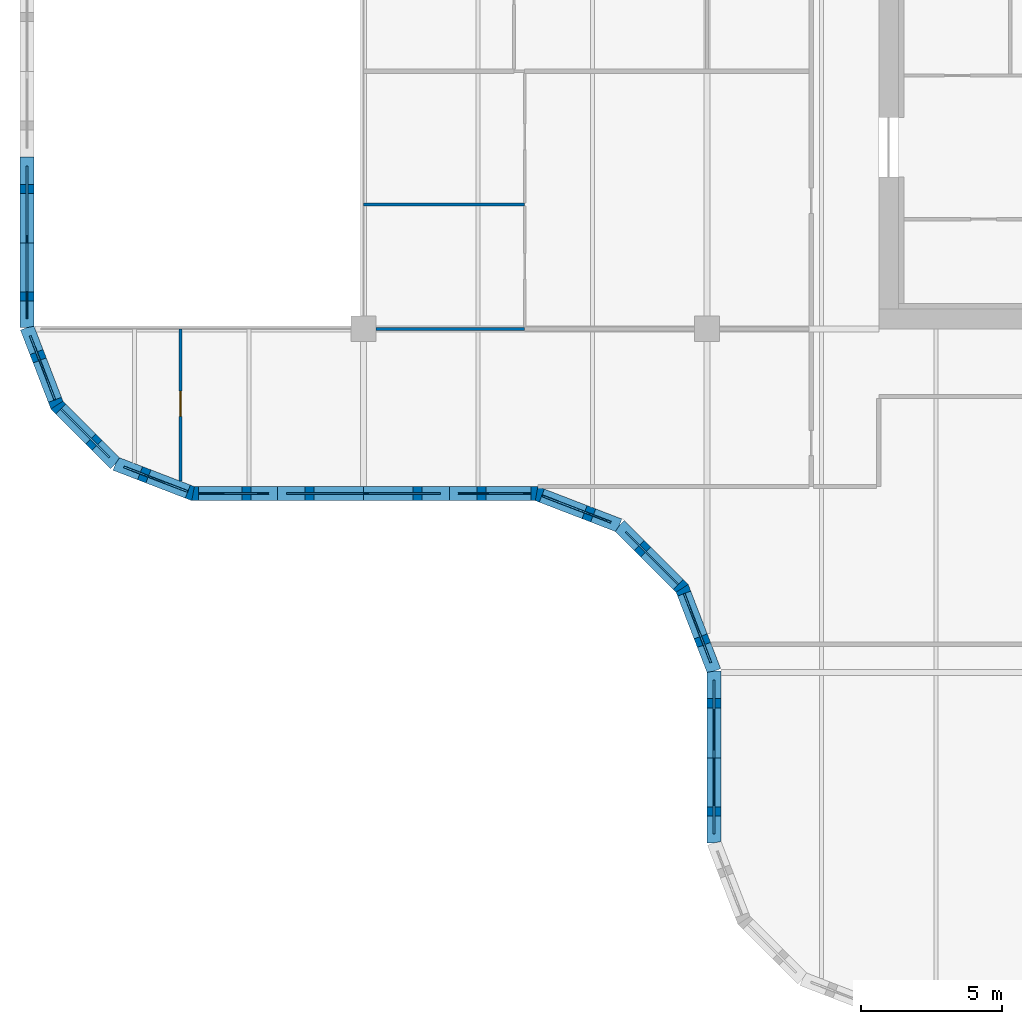
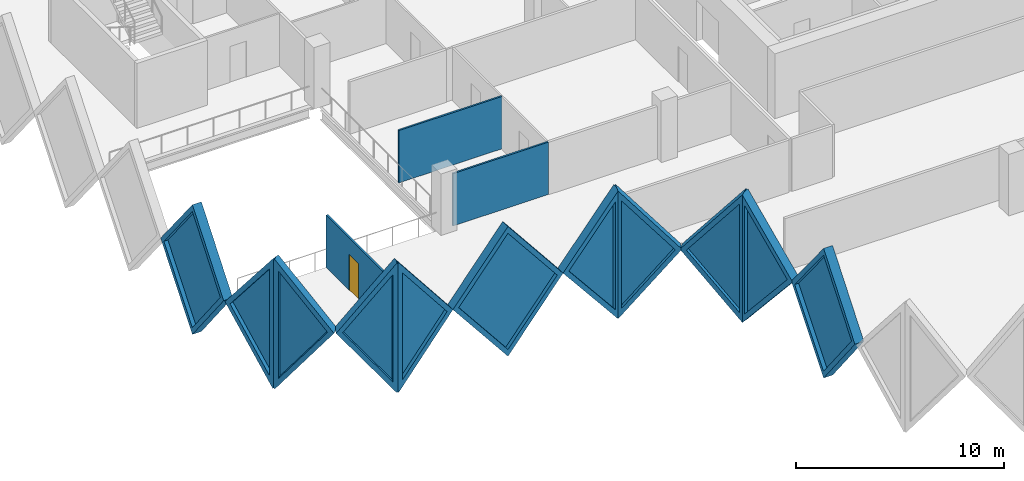
# One storey, part 3 of 12: 14 walls, 11 plates, 1 door, 12 openings.
"""IFC4 building model written with IfcOpenShell, lengths in metres."""

from ifc_helpers import new_model, si_unit, direction, frame, frame_2d, origin, place, context, subcontext, project, spatial, polyline, rectangle, outline, extrude, faceted_brep, source, transform, mapped, material, layer, layer_set, type_object, element, fill, save


model = new_model("IFC4")

# Units and contexts
model_context = context("Model", 3, precision=1e-05, world=origin(), true_north=direction((0.0, 1.0)))
body_context = subcontext(model_context, "Body", "Model", "MODEL_VIEW")
ifc_project = project(units=[si_unit("LENGTHUNIT", "METRE"), si_unit("AREAUNIT", "SQUARE_METRE"), si_unit("VOLUMEUNIT", "CUBIC_METRE"), si_unit("PLANEANGLEUNIT", "RADIAN"), si_unit("MASSUNIT", "GRAM", prefix="KILO")], contexts=[model_context])

# Site, building, storey
site_placement = place(None, origin())
site = spatial("IfcSite", under=ifc_project, at=site_placement, CompositionType="ELEMENT")
building_placement = place(site_placement, origin())
building = spatial("IfcBuilding", under=site, at=building_placement, Name="Tessera Gate Towers", CompositionType="ELEMENT")
storey_placement = place(building_placement, frame((0.0, 0.0, 127.800048828125)))
storey = spatial("IfcBuildingStorey", under=building, at=storey_placement, Name="L31", CompositionType="ELEMENT", Elevation=127.800048828125)

# Wall, opening, door
ifc_material_1 = material(Name="Glass", Category="glass")
ifc_layer_1 = layer(ifc_material_1, 0.10009765625)
ifc_layer_set_1 = layer_set([ifc_layer_1], Name="GLAZED PARTITION 100")
wall_type_1 = type_object("IfcWallType", Name="GLAZED PARTITION 100", PredefinedType="PARTITIONING", material=ifc_layer_set_1)
wall_1_placement = place(storey_placement, frame((5.699951171875, 18.990234375, 0.0), z_axis=(0.0, 0.0, 1.0), x_axis=(0.0, 1.0, 0.0)))
wall_1 = element("IfcWall", 1, at=wall_1_placement, inside=storey, type_object=wall_type_1, Name="T1-L31-PW-016", PredefinedType="PARTITIONING", context=body_context, shape_type="SweptSolid", body=[
    extrude(rectangle(XDim=5.40966796875, YDim=0.10009765625, at=frame_2d((2.704833984375, 0.0))), origin(), (0.0, 0.0, 1.0), 3.06689453125),
])
shared_shape_1 = source(origin(), body_context, "Body", "SweptSolid", [
    extrude(rectangle(XDim=0.89990234375, YDim=2.10009765625, at=frame_2d((0.449951171875, 1.050048828125))), frame((0.0, 0.06005859375, 0.0), z_axis=(0.0, -1.0, 0.0), x_axis=(1.0, 0.0, 0.0)), (0.0, 0.0, 1.0), 0.1201171875),
])
opening_1_placement = place(wall_1_placement, frame((2.300048828125, 0.0, 0.0)))
opening_1 = element("IfcOpeningElement", 2, at=opening_1_placement, cuts=wall_1, Name="Opening D690-A11-03", PredefinedType="OPENING", context=body_context, shape_type="MappedRepresentation", body=[
    mapped(shared_shape_1, transform((0.0, 0.0, 0.0), scale=1.0)),
])
ifc_material_2 = material(Name="Glass in aluminium frame", Category="aluminium")
door_type = type_object("IfcDoorType", Name="GLAZED DOOR 900 NOT RATED", OperationType="NOTDEFINED", PredefinedType="DOOR", material=ifc_material_2)
shared_shape_2 = source(origin(), body_context, "Body", "SweptSolid", [
    extrude(rectangle(XDim=0.89990234375, YDim=2.10009765625, at=frame_2d((0.449951171875, 1.050048828125))), frame((0.0, 0.02490234375, 0.0), z_axis=(0.0, -1.0, 0.0), x_axis=(1.0, 0.0, 0.0)), (0.0, 0.0, 1.0), 0.050048828125),
])
door_placement = place(opening_1_placement, origin())
door = element("IfcDoor", 3, at=door_placement, inside=storey, type_object=door_type, Name="T1-L31-PD-006", OperationType="SINGLE_SWING_LEFT", OverallHeight=2.10009765625, OverallWidth=0.89990234375, PredefinedType="DOOR", context=body_context, shape_type="MappedRepresentation", body=[
    mapped(shared_shape_2, transform((0.0, 0.0, 0.0), scale=1.0)),
])
fill(opening_1, door)

# Walls
wall_2_placement = place(storey_placement, frame((12.65087890625, 24.39990234375, 0.0), z_axis=(0.0, 0.0, 1.0), x_axis=(1.0, 0.0, 0.0)))
element("IfcWall", 4, at=wall_2_placement, inside=storey, type_object=wall_type_1, Name="T1-L31-PW-021", PredefinedType="PARTITIONING", context=body_context, shape_type="SweptSolid", body=[
    extrude(rectangle(XDim=5.273193359375, YDim=0.10009765625, at=frame_2d((2.63671875, 0.0))), origin(), (0.0, 0.0, 1.0), 3.06689453125),
])
ifc_material_3 = material(Name="Gypsum board on steel studs", Category="steel")
ifc_layer_2 = layer(ifc_material_3, 0.10009765625)
ifc_layer_set_2 = layer_set([ifc_layer_2], Name="PARTITION 100")
wall_type_2 = type_object("IfcWallType", Name="PARTITION 100", PredefinedType="PARTITIONING", material=ifc_layer_set_2)
wall_3_placement = place(storey_placement, frame((12.199951171875, 28.820068359375, 0.0), z_axis=(0.0, 0.0, 1.0), x_axis=(1.0, 0.0, 0.0)))
element("IfcWall", 5, at=wall_3_placement, inside=storey, type_object=wall_type_2, Name="T1-L31-PW-025", PredefinedType="PARTITIONING", context=body_context, shape_type="SweptSolid", body=[
    extrude(rectangle(XDim=5.72509765625, YDim=0.10009765625, at=frame_2d((2.862548828125, 0.0))), origin(), (0.0, 0.0, 1.0), 3.06689453125),
])

# Wall, opening, plate
ifc_material_4 = material(Name="Precast concrete C60/75 white", Category="concrete")
ifc_layer_3 = layer(ifc_material_4, 0.5)
ifc_layer_set_3 = layer_set([ifc_layer_3], Name="TS1 tessera")
wall_type_3 = type_object("IfcWallType", Name="TS1 tessera", PredefinedType="SOLIDWALL", material=ifc_layer_set_3)
shared_shape_3 = source(origin(), body_context, "Body", "SweptSolid", [
    extrude(outline(polyline([(3.050048828125, 0.0), (6.10009765625, 3.800048828125), (3.050048828125, 7.60009765625), (0.0, 3.800048828125), (3.050048828125, 0.0)])), frame((0.0, 0.25, 0.0), z_axis=(0.0, -1.0, 0.0), x_axis=(1.0, 0.0, 0.0)), (0.0, 0.0, 1.0), 0.5),
])
wall_4_placement = place(storey_placement, frame((9.14990234375, 18.550048828125, -3.800048828125), z_axis=(0.0, 0.0, 1.0), x_axis=(1.0, 0.0, 0.0)))
wall_4 = element("IfcWall", 6, at=wall_4_placement, inside=storey, type_object=wall_type_3, Name="Precast tessera T1 TS1-0527", PredefinedType="SOLIDWALL", context=body_context, shape_type="MappedRepresentation", body=[
    mapped(shared_shape_3, transform((0.0, 0.0, 0.0), scale=1.0)),
])
shared_shape_4 = source(origin(), body_context, "Body", "SweptSolid", [
    extrude(outline(polyline([(3.050048828125, 0.3994140625), (5.779541015625, 3.800048828125), (3.050048828125, 7.20068359375), (0.320556640625, 3.800048828125), (3.050048828125, 0.3994140625)])), frame((0.0, 0.260009765625, 0.0), z_axis=(0.0, -1.0, 0.0), x_axis=(1.0, 0.0, 0.0)), (0.0, 0.0, 1.0), 0.52001953125),
])
opening_2_placement = place(wall_4_placement, origin())
opening_2 = element("IfcOpeningElement", 7, at=opening_2_placement, cuts=wall_4, Name="Opening T1-PL2-1073", PredefinedType="OPENING", context=body_context, shape_type="MappedRepresentation", body=[
    mapped(shared_shape_4, transform((0.0, 0.0, 0.0), scale=1.0)),
])
ifc_material_5 = material(Name="Low-e laminated glass", Category="glass")
ifc_layer_4 = layer(ifc_material_5, 0.06005859375)
ifc_layer_set_4 = layer_set([ifc_layer_4], Name="PL2 rhombic pane")
plate_type = type_object("IfcPlateType", Name="PL2 rhombic pane", PredefinedType="SHEET", material=ifc_layer_set_4)
shared_shape_5 = source(origin(), body_context, "Body", "SweptSolid", [
    extrude(outline(polyline([(3.050048828125, 0.3994140625), (5.779541015625, 3.800048828125), (3.050048828125, 7.20068359375), (0.320556640625, 3.800048828125), (3.050048828125, 0.3994140625)])), frame((0.0, 0.030029296875, 0.0), z_axis=(0.0, -1.0, 0.0), x_axis=(1.0, 0.0, 0.0)), (0.0, 0.0, 1.0), 0.06005859375),
])
plate_1_placement = place(opening_2_placement, origin())
plate_1 = element("IfcPlate", 8, at=plate_1_placement, inside=storey, type_object=plate_type, Name="Glass pane T1 PL2-1073", PredefinedType="SHEET", context=body_context, shape_type="MappedRepresentation", body=[
    mapped(shared_shape_5, transform((0.0, 0.0, 0.0), scale=1.0)),
])
fill(opening_2, plate_1)

shared_shape_6 = source(origin(), body_context, "Body", "Brep", [
    faceted_brep([(3.050048828125, -0.25, 0.0), (6.053466796875, -0.25, 3.800048828125), (3.050048828125, -0.25, 7.60009765625), (0.0, -0.25, 3.800048828125), (0.0, 0.25, 3.800048828125), (3.050048828125, 0.25, 7.60009765625), (6.0068359375, 0.25, 3.85888671875), (6.0068359375, 0.25, 3.7412109375), (3.050048828125, 0.25, 0.0), (6.053466796875, 0.0, 3.800048828125)], [[[0, 1, 2, 3]], [[4, 5, 6, 7, 8]], [[8, 7, 9, 1, 0]], [[6, 5, 2, 1, 9]], [[5, 4, 3, 2]], [[4, 8, 0, 3]], [[9, 7, 6]]]),
])
wall_5_placement = place(storey_placement, frame((0.25, 30.5, -3.800048828125), z_axis=(0.0, 0.0, 1.0), x_axis=(0.0, -1.0, 0.0)))
wall_5 = element("IfcWall", 9, at=wall_5_placement, inside=storey, type_object=wall_type_3, Name="Precast tessera T1 TS1-0526", PredefinedType="SOLIDWALL", context=body_context, shape_type="MappedRepresentation", body=[
    mapped(shared_shape_6, transform((0.0, 0.0, 0.0), scale=1.0)),
])
shared_shape_7 = source(origin(), body_context, "Body", "SweptSolid", [
    extrude(outline(polyline([(3.048583984375, 0.4013671875), (5.73486328125, 3.800048828125), (3.048583984375, 7.19873046875), (0.320556640625, 3.800048828125), (3.048583984375, 0.4013671875)])), frame((0.0, 0.260009765625, 0.0), z_axis=(0.0, -1.0, 0.0), x_axis=(1.0, 0.0, 0.0)), (0.0, 0.0, 1.0), 0.52001953125),
])
opening_3_placement = place(wall_5_placement, origin())
opening_3 = element("IfcOpeningElement", 10, at=opening_3_placement, cuts=wall_5, Name="Opening T1-PL2-1068", PredefinedType="OPENING", context=body_context, shape_type="MappedRepresentation", body=[
    mapped(shared_shape_7, transform((0.0, 0.0, 0.0), scale=1.0)),
])
shared_shape_8 = source(origin(), body_context, "Body", "SweptSolid", [
    extrude(outline(polyline([(3.048583984375, 0.4013671875), (5.73486328125, 3.800048828125), (3.048583984375, 7.19873046875), (0.320556640625, 3.800048828125), (3.048583984375, 0.4013671875)])), frame((0.0, 0.030029296875, 0.0), z_axis=(0.0, -1.0, 0.0), x_axis=(1.0, 0.0, 0.0)), (0.0, 0.0, 1.0), 0.06005859375),
])
plate_2_placement = place(opening_3_placement, origin())
plate_2 = element("IfcPlate", 11, at=plate_2_placement, inside=storey, type_object=plate_type, Name="Glass pane T1 PL2-1068", PredefinedType="SHEET", context=body_context, shape_type="MappedRepresentation", body=[
    mapped(shared_shape_8, transform((0.0, 0.0, 0.0), scale=1.0)),
])
fill(opening_3, plate_2)

ifc_material_6 = material(Name="Precast concrete C60/75 white", Category="concrete")
ifc_layer_5 = layer(ifc_material_6, 0.5)
ifc_layer_set_5 = layer_set([ifc_layer_5], Name="TS3 corner tessera")
wall_type_4 = type_object("IfcWallType", Name="TS3 corner tessera", PredefinedType="SOLIDWALL", material=ifc_layer_set_5)
shared_shape_9 = source(origin(), body_context, "Body", "Brep", [
    faceted_brep([(0.052978515625, -0.25, 0.0), (2.9970703125, -0.25, 3.800048828125), (0.052978515625, -0.25, 7.60009765625), (0.0, -0.25, 7.531982421875), (0.0, -0.25, 0.068115234375), (0.10595703125, 0.25, 7.53173828125), (2.944091796875, 0.25, 3.8681640625), (2.944091796875, 0.25, 3.73193359375), (0.10595703125, 0.25, 0.068359375), (2.9970703125, 0.000244140625, 3.800048828125), (0.052978515625, 0.0, 0.0), (0.052978515625, 0.0, 7.60009765625)], [[[0, 1, 2, 3, 4]], [[5, 6, 7, 8]], [[8, 7, 9, 1, 0, 10]], [[6, 5, 11, 2, 1, 9]], [[3, 2, 11]], [[10, 0, 4]], [[8, 10, 4, 3, 11, 5]], [[9, 7, 6]]]),
])
wall_6_placement = place(storey_placement, frame((1.2744140625, 21.731201171875, -3.800048828125), z_axis=(0.0, 0.0, 1.0), x_axis=(0.707147509625, -0.707066050402, 0.0)))
wall_6 = element("IfcWall", 12, at=wall_6_placement, inside=storey, type_object=wall_type_4, Name="Precast corner tessera T1 TS3-0712", PredefinedType="SOLIDWALL", context=body_context, shape_type="MappedRepresentation", body=[
    mapped(shared_shape_9, transform((0.0, 0.0, 0.0), scale=1.0)),
])
shared_shape_10 = source(origin(), body_context, "Body", "SweptSolid", [
    extrude(outline(polyline([(0.2529296875, 0.666259765625), (2.680908203125, 3.800048828125), (0.2529296875, 6.93359375), (0.2529296875, 0.666259765625)])), frame((0.0, 0.260009765625, 0.0), z_axis=(0.0, -1.0, 0.0), x_axis=(1.0, 0.0, 0.0)), (0.0, 0.0, 1.0), 0.52001953125),
])
opening_4_placement = place(wall_6_placement, origin())
opening_4 = element("IfcOpeningElement", 13, at=opening_4_placement, cuts=wall_6, Name="Opening T1-PL2-1070", PredefinedType="OPENING", context=body_context, shape_type="MappedRepresentation", body=[
    mapped(shared_shape_10, transform((0.0, 0.0, 0.0), scale=1.0)),
])
shared_shape_11 = source(origin(), body_context, "Body", "SweptSolid", [
    extrude(outline(polyline([(0.2529296875, 0.666259765625), (2.680908203125, 3.800048828125), (0.2529296875, 6.93359375), (0.2529296875, 0.666259765625)])), frame((0.0, 0.030029296875, 0.0), z_axis=(0.0, -1.0, 0.0), x_axis=(1.0, 0.0, 0.0)), (0.0, 0.0, 1.0), 0.06005859375),
])
plate_3_placement = place(opening_4_placement, origin())
plate_3 = element("IfcPlate", 14, at=plate_3_placement, inside=storey, type_object=plate_type, Name="Glass pane T1 PL2-1070", PredefinedType="SHEET", context=body_context, shape_type="MappedRepresentation", body=[
    mapped(shared_shape_11, transform((0.0, 0.0, 0.0), scale=1.0)),
])
fill(opening_4, plate_3)

shared_shape_12 = source(origin(), body_context, "Body", "Brep", [
    faceted_brep([(2.950439453125, -0.25, 0.0), (2.9970703125, -0.25, 0.05908203125), (2.9970703125, -0.25, 7.541015625), (2.950439453125, -0.25, 7.60009765625), (0.0, -0.25, 3.800048828125), (0.052978515625, 0.25, 3.8681640625), (2.904052734375, 0.25, 7.540283203125), (2.904052734375, 0.25, 0.059814453125), (0.052978515625, 0.25, 3.73193359375), (2.950439453125, 0.00048828125, 0.0), (2.950439453125, 0.00048828125, 7.60009765625), (0.0, 0.0, 3.800048828125)], [[[0, 1, 2, 3, 4]], [[5, 6, 7, 8]], [[1, 0, 9]], [[10, 3, 2]], [[6, 5, 11, 4, 3, 10]], [[8, 7, 9, 0, 4, 11]], [[8, 11, 5]], [[1, 9, 7, 6, 10, 2]]]),
])
wall_7_placement = place(storey_placement, frame((3.393798828125, 19.61181640625, -3.800048828125), z_axis=(0.0, 0.0, 1.0), x_axis=(0.932990326376, -0.359901446078, 0.0)))
wall_7 = element("IfcWall", 15, at=wall_7_placement, inside=storey, type_object=wall_type_4, Name="Precast corner tessera T1 TS3-0713", PredefinedType="SOLIDWALL", context=body_context, shape_type="MappedRepresentation", body=[
    mapped(shared_shape_12, transform((0.0, 0.0, 0.0), scale=1.0)),
])
shared_shape_13 = source(origin(), body_context, "Body", "SweptSolid", [
    extrude(outline(polyline([(2.75048828125, 6.934814453125), (0.31640625, 3.800048828125), (2.75048828125, 0.665283203125), (2.75048828125, 6.934814453125)])), frame((0.0, 0.260009765625, 0.0), z_axis=(0.0, -1.0, 0.0), x_axis=(1.0, 0.0, 0.0)), (0.0, 0.0, 1.0), 0.52001953125),
])
opening_5_placement = place(wall_7_placement, origin())
opening_5 = element("IfcOpeningElement", 16, at=opening_5_placement, cuts=wall_7, Name="Opening T1-PL2-1071", PredefinedType="OPENING", context=body_context, shape_type="MappedRepresentation", body=[
    mapped(shared_shape_13, transform((0.0, 0.0, 0.0), scale=1.0)),
])
shared_shape_14 = source(origin(), body_context, "Body", "SweptSolid", [
    extrude(outline(polyline([(2.75048828125, 6.934814453125), (0.31640625, 3.800048828125), (2.75048828125, 0.665283203125), (2.75048828125, 6.934814453125)])), frame((0.0, 0.030029296875, 0.0), z_axis=(0.0, -1.0, 0.0), x_axis=(1.0, 0.0, 0.0)), (0.0, 0.0, 1.0), 0.06005859375),
])
plate_4_placement = place(opening_5_placement, origin())
plate_4 = element("IfcPlate", 17, at=plate_4_placement, inside=storey, type_object=plate_type, Name="Glass pane T1 PL2-1071", PredefinedType="SHEET", context=body_context, shape_type="MappedRepresentation", body=[
    mapped(shared_shape_14, transform((0.0, 0.0, 0.0), scale=1.0)),
])
fill(opening_5, plate_4)

shared_shape_15 = source(origin(), body_context, "Body", "Brep", [
    faceted_brep([(0.046630859375, -0.25, 0.0), (3.050048828125, -0.25, 3.800048828125), (0.046630859375, -0.25, 7.60009765625), (0.0, -0.25, 7.5400390625), (0.0, -0.25, 0.06005859375), (0.09326171875, 0.25, 7.541259765625), (3.050048828125, 0.25, 3.800048828125), (0.09326171875, 0.25, 0.058837890625), (0.046630859375, 0.0, 0.0), (0.046630859375, 0.0, 7.60009765625)], [[[0, 1, 2, 3, 4]], [[5, 6, 7]], [[7, 6, 1, 0, 8]], [[6, 5, 9, 2, 1]], [[3, 2, 9]], [[8, 0, 4]], [[7, 8, 4, 3, 9, 5]]]),
])
wall_8_placement = place(storey_placement, frame((6.099853515625, 18.550048828125, -3.800048828125), z_axis=(0.0, 0.0, 1.0), x_axis=(1.0, 0.0, 0.0)))
wall_8 = element("IfcWall", 18, at=wall_8_placement, inside=storey, type_object=wall_type_4, Name="Precast corner tessera T1 TS3-0714", PredefinedType="SOLIDWALL", context=body_context, shape_type="MappedRepresentation", body=[
    mapped(shared_shape_15, transform((0.0, 0.0, 0.0), scale=1.0)),
])
shared_shape_16 = source(origin(), body_context, "Body", "SweptSolid", [
    extrude(outline(polyline([(0.24658203125, 0.65625), (2.7314453125, 3.800048828125), (0.24658203125, 6.94384765625), (0.24658203125, 0.65625)])), frame((0.0, 0.260009765625, 0.0), z_axis=(0.0, -1.0, 0.0), x_axis=(1.0, 0.0, 0.0)), (0.0, 0.0, 1.0), 0.52001953125),
])
opening_6_placement = place(wall_8_placement, origin())
opening_6 = element("IfcOpeningElement", 19, at=opening_6_placement, cuts=wall_8, Name="Opening T1-PL2-1072", PredefinedType="OPENING", context=body_context, shape_type="MappedRepresentation", body=[
    mapped(shared_shape_16, transform((0.0, 0.0, 0.0), scale=1.0)),
])
shared_shape_17 = source(origin(), body_context, "Body", "SweptSolid", [
    extrude(outline(polyline([(0.24658203125, 0.65625), (2.7314453125, 3.800048828125), (0.24658203125, 6.94384765625), (0.24658203125, 0.65625)])), frame((0.0, 0.030029296875, 0.0), z_axis=(0.0, -1.0, 0.0), x_axis=(1.0, 0.0, 0.0)), (0.0, 0.0, 1.0), 0.06005859375),
])
plate_5_placement = place(opening_6_placement, origin())
plate_5 = element("IfcPlate", 20, at=plate_5_placement, inside=storey, type_object=plate_type, Name="Glass pane T1 PL2-1072", PredefinedType="SHEET", context=body_context, shape_type="MappedRepresentation", body=[
    mapped(shared_shape_17, transform((0.0, 0.0, 0.0), scale=1.0)),
])
fill(opening_6, plate_5)

shared_shape_18 = source(origin(), body_context, "Body", "Brep", [
    faceted_brep([(2.950439453125, -0.25, 0.0), (3.00341796875, -0.25, 0.068359375), (3.00341796875, -0.25, 7.53173828125), (2.950439453125, -0.25, 7.60009765625), (0.0, -0.25, 3.800048828125), (0.046630859375, 0.25, 3.860107421875), (2.897705078125, 0.25, 7.531982421875), (2.897705078125, 0.25, 0.068115234375), (0.046630859375, 0.25, 3.739990234375), (2.950439453125, 0.00048828125, 0.0), (2.950439453125, 0.00048828125, 7.60009765625), (0.0, 0.0, 3.800048828125)], [[[0, 1, 2, 3, 4]], [[5, 6, 7, 8]], [[1, 0, 9]], [[10, 3, 2]], [[6, 5, 11, 4, 3, 10]], [[8, 7, 9, 0, 4, 11]], [[8, 11, 5]], [[1, 9, 7, 6, 10, 2]]]),
])
wall_9_placement = place(storey_placement, frame((0.25, 24.446533203125, -3.800048828125), z_axis=(0.0, 0.0, 1.0), x_axis=(0.35992665181, -0.932980602862, 0.0)))
wall_9 = element("IfcWall", 21, at=wall_9_placement, inside=storey, type_object=wall_type_4, Name="Precast corner tessera T1 TS3-0711", PredefinedType="SOLIDWALL", context=body_context, shape_type="MappedRepresentation", body=[
    mapped(shared_shape_18, transform((0.0, 0.0, 0.0), scale=1.0)),
])
opening_7_placement = place(wall_9_placement, origin())
opening_7 = element("IfcOpeningElement", 22, at=opening_7_placement, cuts=wall_9, Name="Opening T1-PL2-1069", PredefinedType="OPENING", context=body_context, shape_type="MappedRepresentation", body=[
    mapped(shared_shape_13, transform((0.0, 0.0, 0.0), scale=1.0)),
])
plate_6_placement = place(opening_7_placement, origin())
plate_6 = element("IfcPlate", 23, at=plate_6_placement, inside=storey, type_object=plate_type, Name="Glass pane T1 PL2-1069", PredefinedType="SHEET", context=body_context, shape_type="MappedRepresentation", body=[
    mapped(shared_shape_14, transform((0.0, 0.0, 0.0), scale=1.0)),
])
fill(opening_7, plate_6)

shared_shape_19 = source(origin(), body_context, "Body", "Brep", [
    faceted_brep([(3.050048828125, -0.25, 7.543212890625), (0.0, -0.25, 3.800048828125), (3.050048828125, -0.25, 0.056884765625), (0.0, 0.25, 3.800048828125), (3.096435546875, 0.25, 7.60009765625), (3.14306640625, 0.25, 7.543701171875), (3.14306640625, 0.25, 0.056396484375), (3.096435546875, 0.25, 0.0), (3.096435546875, -0.00048828125, 0.0), (3.096435546875, -0.00048828125, 7.60009765625)], [[[0, 1, 2]], [[3, 4, 5, 6, 7]], [[7, 6, 8]], [[5, 4, 9]], [[4, 3, 1, 0, 9]], [[3, 7, 8, 2, 1]], [[2, 8, 6, 5, 9, 0]]]),
])
wall_10_placement = place(storey_placement, frame((15.25, 18.550048828125, -3.800048828125), z_axis=(0.0, 0.0, 1.0), x_axis=(1.0, 0.0, 0.0)))
wall_10 = element("IfcWall", 24, at=wall_10_placement, inside=storey, type_object=wall_type_4, Name="Precast corner tessera T1 TS3-0715", PredefinedType="SOLIDWALL", context=body_context, shape_type="MappedRepresentation", body=[
    mapped(shared_shape_19, transform((0.0, 0.0, 0.0), scale=1.0)),
])
shared_shape_20 = source(origin(), body_context, "Body", "SweptSolid", [
    extrude(outline(polyline([(2.896484375, 6.958740234375), (0.322509765625, 3.800048828125), (2.896484375, 0.64111328125), (2.896484375, 6.958740234375)])), frame((0.0, 0.260009765625, 0.0), z_axis=(0.0, -1.0, 0.0), x_axis=(1.0, 0.0, 0.0)), (0.0, 0.0, 1.0), 0.52001953125),
])
opening_8_placement = place(wall_10_placement, origin())
opening_8 = element("IfcOpeningElement", 25, at=opening_8_placement, cuts=wall_10, Name="Opening T1-PL2-1074", PredefinedType="OPENING", context=body_context, shape_type="MappedRepresentation", body=[
    mapped(shared_shape_20, transform((0.0, 0.0, 0.0), scale=1.0)),
])
shared_shape_21 = source(origin(), body_context, "Body", "SweptSolid", [
    extrude(outline(polyline([(2.896484375, 6.958740234375), (0.322509765625, 3.800048828125), (2.896484375, 0.64111328125), (2.896484375, 6.958740234375)])), frame((0.0, 0.030029296875, 0.0), z_axis=(0.0, -1.0, 0.0), x_axis=(1.0, 0.0, 0.0)), (0.0, 0.0, 1.0), 0.06005859375),
])
plate_7_placement = place(opening_8_placement, origin())
plate_7 = element("IfcPlate", 26, at=plate_7_placement, inside=storey, type_object=plate_type, Name="Glass pane T1 PL2-1074", PredefinedType="SHEET", context=body_context, shape_type="MappedRepresentation", body=[
    mapped(shared_shape_21, transform((0.0, 0.0, 0.0), scale=1.0)),
])
fill(opening_8, plate_7)

shared_shape_22 = source(origin(), body_context, "Body", "Brep", [
    faceted_brep([(0.09326171875, -0.25, 0.05615234375), (3.14306640625, -0.25, 3.736328125), (3.14306640625, -0.25, 3.86376953125), (0.09326171875, -0.25, 7.5439453125), (0.0, 0.25, 7.54296875), (0.046630859375, 0.25, 7.60009765625), (3.196044921875, 0.25, 3.800048828125), (0.046630859375, 0.25, 0.0), (0.0, 0.25, 0.05712890625), (3.196044921875, -0.000244140625, 3.800048828125), (0.046630859375, 0.0, 0.0), (0.046630859375, 0.0, 7.60009765625)], [[[0, 1, 2, 3]], [[4, 5, 6, 7, 8]], [[7, 6, 9, 1, 0, 10]], [[6, 5, 11, 3, 2, 9]], [[5, 4, 11]], [[8, 7, 10]], [[8, 10, 0, 3, 11, 4]], [[1, 9, 2]]]),
])
wall_11_placement = place(storey_placement, frame((18.302978515625, 18.56689453125, -3.800048828125), z_axis=(0.0, 0.0, 1.0), x_axis=(0.932978940178, -0.359930961693, 0.0)))
wall_11 = element("IfcWall", 27, at=wall_11_placement, inside=storey, type_object=wall_type_4, Name="Precast corner tessera T1 TS3-0716", PredefinedType="SOLIDWALL", context=body_context, shape_type="MappedRepresentation", body=[
    mapped(shared_shape_22, transform((0.0, 0.0, 0.0), scale=1.0)),
])
shared_shape_23 = source(origin(), body_context, "Body", "SweptSolid", [
    extrude(outline(polyline([(0.24658203125, 0.633056640625), (2.871337890625, 3.800048828125), (0.24658203125, 6.966796875), (0.24658203125, 0.633056640625)])), frame((0.0, 0.260009765625, 0.0), z_axis=(0.0, -1.0, 0.0), x_axis=(1.0, 0.0, 0.0)), (0.0, 0.0, 1.0), 0.52001953125),
])
opening_9_placement = place(wall_11_placement, origin())
opening_9 = element("IfcOpeningElement", 28, at=opening_9_placement, cuts=wall_11, Name="Opening T1-PL2-1075", PredefinedType="OPENING", context=body_context, shape_type="MappedRepresentation", body=[
    mapped(shared_shape_23, transform((0.0, 0.0, 0.0), scale=1.0)),
])
shared_shape_24 = source(origin(), body_context, "Body", "SweptSolid", [
    extrude(outline(polyline([(0.24658203125, 0.633056640625), (2.871337890625, 3.800048828125), (0.24658203125, 6.966796875), (0.24658203125, 0.633056640625)])), frame((0.0, 0.030029296875, 0.0), z_axis=(0.0, -1.0, 0.0), x_axis=(1.0, 0.0, 0.0)), (0.0, 0.0, 1.0), 0.06005859375),
])
plate_8_placement = place(opening_9_placement, origin())
plate_8 = element("IfcPlate", 29, at=plate_8_placement, inside=storey, type_object=plate_type, Name="Glass pane T1 PL2-1075", PredefinedType="SHEET", context=body_context, shape_type="MappedRepresentation", body=[
    mapped(shared_shape_24, transform((0.0, 0.0, 0.0), scale=1.0)),
])
fill(opening_9, plate_8)

shared_shape_25 = source(origin(), body_context, "Body", "Brep", [
    faceted_brep([(3.10302734375, -0.25, 7.536376953125), (0.052978515625, -0.25, 3.86376953125), (0.052978515625, -0.25, 3.736328125), (3.10302734375, -0.25, 0.063720703125), (0.0, 0.25, 3.800048828125), (3.15576171875, 0.25, 7.60009765625), (3.208740234375, 0.25, 7.5361328125), (3.208740234375, 0.25, 0.06396484375), (3.15576171875, 0.25, 0.0), (3.15576171875, -0.00048828125, 0.0), (3.15576171875, -0.00048828125, 7.60009765625), (0.0, 0.0, 3.800048828125)], [[[0, 1, 2, 3]], [[4, 5, 6, 7, 8]], [[8, 7, 9]], [[6, 5, 10]], [[5, 4, 11, 1, 0, 10]], [[4, 8, 9, 3, 2, 11]], [[11, 2, 1]], [[3, 9, 7, 6, 10, 0]]]),
])
wall_12_placement = place(storey_placement, frame((21.284912109375, 17.41650390625, -3.800048828125), z_axis=(0.0, 0.0, 1.0), x_axis=(0.707106781187, -0.707106781187, 0.0)))
wall_12 = element("IfcWall", 30, at=wall_12_placement, inside=storey, type_object=wall_type_4, Name="Precast corner tessera T1 TS3-0717", PredefinedType="SOLIDWALL", context=body_context, shape_type="MappedRepresentation", body=[
    mapped(shared_shape_25, transform((0.0, 0.0, 0.0), scale=1.0)),
])
shared_shape_26 = source(origin(), body_context, "Body", "SweptSolid", [
    extrude(outline(polyline([(2.955810546875, 6.9677734375), (0.324951171875, 3.800048828125), (2.955810546875, 0.632080078125), (2.955810546875, 6.9677734375)])), frame((0.0, 0.260009765625, 0.0), z_axis=(0.0, -1.0, 0.0), x_axis=(1.0, 0.0, 0.0)), (0.0, 0.0, 1.0), 0.52001953125),
])
opening_10_placement = place(wall_12_placement, origin())
opening_10 = element("IfcOpeningElement", 31, at=opening_10_placement, cuts=wall_12, Name="Opening T1-PL2-1076", PredefinedType="OPENING", context=body_context, shape_type="MappedRepresentation", body=[
    mapped(shared_shape_26, transform((0.0, 0.0, 0.0), scale=1.0)),
])
shared_shape_27 = source(origin(), body_context, "Body", "SweptSolid", [
    extrude(outline(polyline([(2.955810546875, 6.9677734375), (0.324951171875, 3.800048828125), (2.955810546875, 0.632080078125), (2.955810546875, 6.9677734375)])), frame((0.0, 0.030029296875, 0.0), z_axis=(0.0, -1.0, 0.0), x_axis=(1.0, 0.0, 0.0)), (0.0, 0.0, 1.0), 0.06005859375),
])
plate_9_placement = place(opening_10_placement, origin())
plate_9 = element("IfcPlate", 32, at=plate_9_placement, inside=storey, type_object=plate_type, Name="Glass pane T1 PL2-1076", PredefinedType="SHEET", context=body_context, shape_type="MappedRepresentation", body=[
    mapped(shared_shape_27, transform((0.0, 0.0, 0.0), scale=1.0)),
])
fill(opening_10, plate_9)

shared_shape_28 = source(origin(), body_context, "Body", "Brep", [
    faceted_brep([(0.10595703125, -0.25, 0.06396484375), (3.156005859375, -0.25, 3.743896484375), (3.156005859375, -0.25, 3.856201171875), (0.10595703125, -0.25, 7.5361328125), (0.0, 0.25, 7.536376953125), (0.052978515625, 0.25, 7.60009765625), (3.202392578125, 0.25, 3.800048828125), (0.052978515625, 0.25, 0.0), (0.0, 0.25, 0.063720703125), (3.202392578125, -0.000244140625, 3.800048828125), (0.052978515625, 0.0, 0.0), (0.052978515625, 0.0, 7.60009765625)], [[[0, 1, 2, 3]], [[4, 5, 6, 7, 8]], [[7, 6, 9, 1, 0, 10]], [[6, 5, 11, 3, 2, 9]], [[5, 4, 11]], [[8, 7, 10]], [[8, 10, 0, 3, 11, 4]], [[1, 9, 2]]]),
])
wall_13_placement = place(storey_placement, frame((23.497314453125, 15.234375, -3.800048828125), z_axis=(0.0, 0.0, 1.0), x_axis=(0.359913782069, -0.932985567668, 0.0)))
wall_13 = element("IfcWall", 33, at=wall_13_placement, inside=storey, type_object=wall_type_4, Name="Precast corner tessera T1 TS3-0718", PredefinedType="SOLIDWALL", context=body_context, shape_type="MappedRepresentation", body=[
    mapped(shared_shape_28, transform((0.0, 0.0, 0.0), scale=1.0)),
])
shared_shape_29 = source(origin(), body_context, "Body", "SweptSolid", [
    extrude(outline(polyline([(0.2529296875, 0.633056640625), (2.877685546875, 3.800048828125), (0.2529296875, 6.966796875), (0.2529296875, 0.633056640625)])), frame((0.0, 0.260009765625, 0.0), z_axis=(0.0, -1.0, 0.0), x_axis=(1.0, 0.0, 0.0)), (0.0, 0.0, 1.0), 0.52001953125),
])
opening_11_placement = place(wall_13_placement, origin())
opening_11 = element("IfcOpeningElement", 34, at=opening_11_placement, cuts=wall_13, Name="Opening T1-PL2-1077", PredefinedType="OPENING", context=body_context, shape_type="MappedRepresentation", body=[
    mapped(shared_shape_29, transform((0.0, 0.0, 0.0), scale=1.0)),
])
shared_shape_30 = source(origin(), body_context, "Body", "SweptSolid", [
    extrude(outline(polyline([(0.2529296875, 0.633056640625), (2.877685546875, 3.800048828125), (0.2529296875, 6.966796875), (0.2529296875, 0.633056640625)])), frame((0.0, 0.030029296875, 0.0), z_axis=(0.0, -1.0, 0.0), x_axis=(1.0, 0.0, 0.0)), (0.0, 0.0, 1.0), 0.06005859375),
])
plate_10_placement = place(opening_11_placement, origin())
plate_10 = element("IfcPlate", 35, at=plate_10_placement, inside=storey, type_object=plate_type, Name="Glass pane T1 PL2-1077", PredefinedType="SHEET", context=body_context, shape_type="MappedRepresentation", body=[
    mapped(shared_shape_30, transform((0.0, 0.0, 0.0), scale=1.0)),
])
fill(opening_11, plate_10)

shared_shape_31 = source(origin(), body_context, "Body", "Brep", [
    faceted_brep([(3.096435546875, -0.25, 0.0), (6.10009765625, -0.25, 3.800048828125), (3.096435546875, -0.25, 7.60009765625), (0.046630859375, -0.25, 3.857177734375), (0.046630859375, -0.25, 3.742919921875), (0.0, 0.25, 3.800048828125), (3.096435546875, 0.25, 7.60009765625), (6.053466796875, 0.25, 3.859130859375), (6.053466796875, 0.25, 3.740966796875), (3.096435546875, 0.25, 0.0), (6.10009765625, -0.00048828125, 3.800048828125), (0.0, 0.0, 3.800048828125)], [[[0, 1, 2, 3, 4]], [[5, 6, 7, 8, 9]], [[9, 8, 10, 1, 0]], [[7, 6, 2, 1, 10]], [[6, 5, 11, 3, 2]], [[5, 9, 0, 4, 11]], [[11, 4, 3]], [[10, 8, 7]]]),
])
wall_14_placement = place(storey_placement, frame((24.64990234375, 12.24658203125, -3.800048828125), z_axis=(0.0, 0.0, 1.0), x_axis=(0.0, -1.0, 0.0)))
wall_14 = element("IfcWall", 36, at=wall_14_placement, inside=storey, type_object=wall_type_3, Name="Precast tessera T1 TS1-0528", PredefinedType="SOLIDWALL", context=body_context, shape_type="MappedRepresentation", body=[
    mapped(shared_shape_31, transform((0.0, 0.0, 0.0), scale=1.0)),
])
shared_shape_32 = source(origin(), body_context, "Body", "SweptSolid", [
    extrude(outline(polyline([(3.093505859375, 0.3994140625), (5.78125, 3.800048828125), (3.093505859375, 7.20068359375), (0.322509765625, 3.800048828125), (3.093505859375, 0.3994140625)])), frame((0.0, 0.260009765625, 0.0), z_axis=(0.0, -1.0, 0.0), x_axis=(1.0, 0.0, 0.0)), (0.0, 0.0, 1.0), 0.52001953125),
])
opening_12_placement = place(wall_14_placement, origin())
opening_12 = element("IfcOpeningElement", 37, at=opening_12_placement, cuts=wall_14, Name="Opening T1-PL2-1078", PredefinedType="OPENING", context=body_context, shape_type="MappedRepresentation", body=[
    mapped(shared_shape_32, transform((0.0, 0.0, 0.0), scale=1.0)),
])
shared_shape_33 = source(origin(), body_context, "Body", "SweptSolid", [
    extrude(outline(polyline([(3.093505859375, 0.3994140625), (5.78125, 3.800048828125), (3.093505859375, 7.20068359375), (0.322509765625, 3.800048828125), (3.093505859375, 0.3994140625)])), frame((0.0, 0.030029296875, 0.0), z_axis=(0.0, -1.0, 0.0), x_axis=(1.0, 0.0, 0.0)), (0.0, 0.0, 1.0), 0.06005859375),
])
plate_11_placement = place(opening_12_placement, origin())
plate_11 = element("IfcPlate", 38, at=plate_11_placement, inside=storey, type_object=plate_type, Name="Glass pane T1 PL2-1078", PredefinedType="SHEET", context=body_context, shape_type="MappedRepresentation", body=[
    mapped(shared_shape_33, transform((0.0, 0.0, 0.0), scale=1.0)),
])
fill(opening_12, plate_11)

save(model, "model.ifc")
